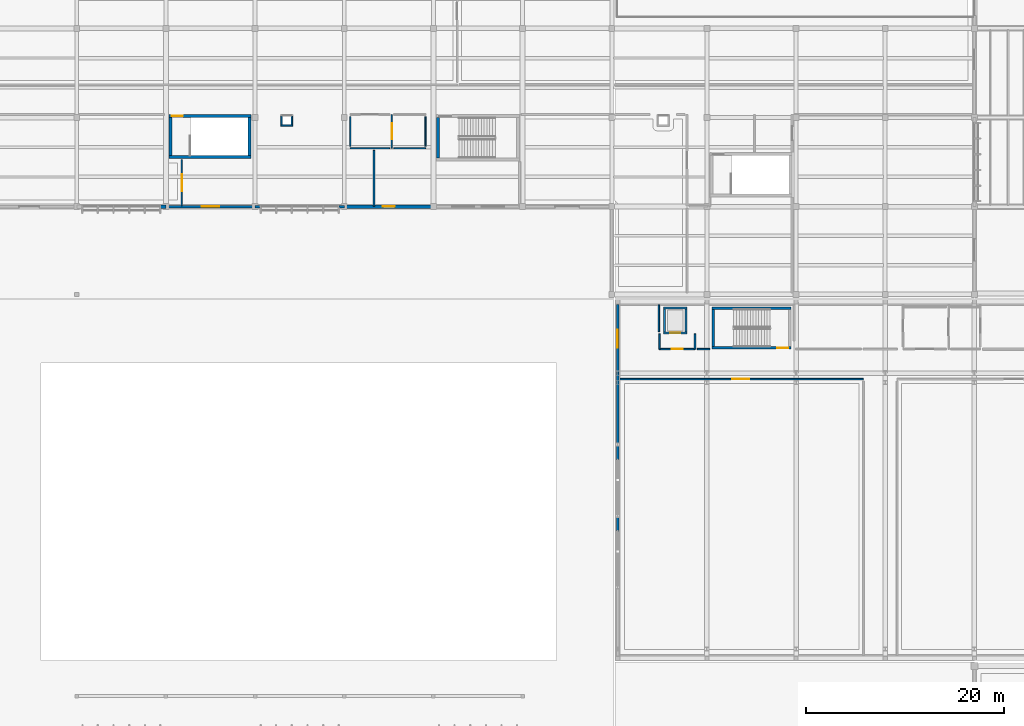
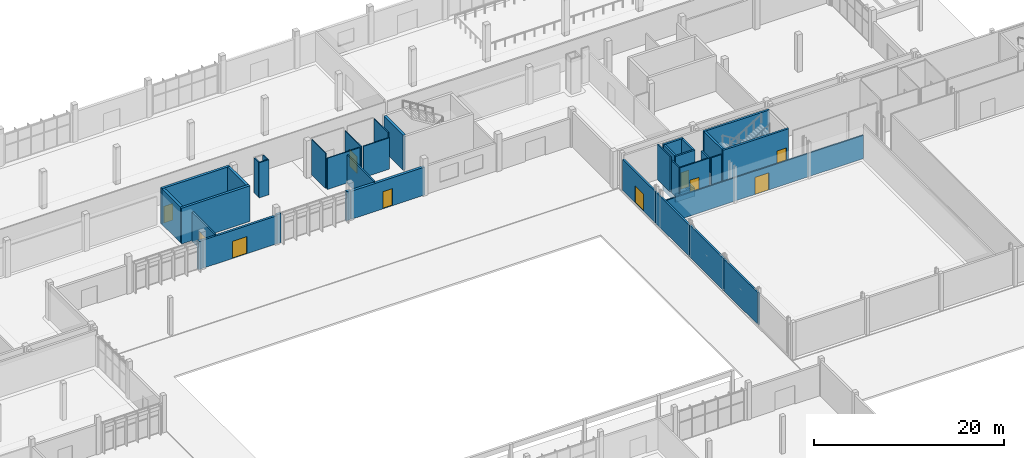
# One storey, part 123 of 151: 41 walls, 10 doors, 10 openings.
"""IFC4 building model written with IfcOpenShell, lengths in metres."""

from ifc_helpers import new_model, si_unit, direction, frame, frame_2d, origin, place, context, subcontext, project, spatial, rectangle, extrude, material, layer, layer_set, type_object, element, fill, save


model = new_model("IFC4")

# Units and contexts
model_context = context("Model", 3, precision=1e-05, world=origin(), true_north=direction((0.0, 1.0)))
body_context = subcontext(model_context, "Body", "Model", "MODEL_VIEW")
ifc_project = project(units=[si_unit("LENGTHUNIT", "METRE"), si_unit("AREAUNIT", "SQUARE_METRE"), si_unit("VOLUMEUNIT", "CUBIC_METRE"), si_unit("PLANEANGLEUNIT", "RADIAN"), si_unit("MASSUNIT", "GRAM", prefix="KILO")], contexts=[model_context])

# Site, building, storey
site_placement = place(None, origin())
site = spatial("IfcSite", under=ifc_project, at=site_placement, CompositionType="ELEMENT")
building_placement = place(site_placement, origin())
building = spatial("IfcBuilding", under=site, at=building_placement, Name="Chiffa Square Polytechnic", CompositionType="ELEMENT")
storey_placement = place(building_placement, origin())
storey = spatial("IfcBuildingStorey", under=building, at=storey_placement, Name="L00", CompositionType="ELEMENT", Elevation=0.0)

# Wall, opening, door
ifc_material_1 = material(Name="Concrete C40/50", Category="concrete")
ifc_layer_1 = layer(ifc_material_1, 0.25, Name="Concrete C40/50")
ifc_layer_set_1 = layer_set([ifc_layer_1], Name="Concrete C40/50")
wall_type_1 = type_object("IfcWallType", Name="WL-CORE-250", PredefinedType="SHEAR", material=ifc_layer_set_1)
wall_1_placement = place(storey_placement, frame((121.699951171875, 89.550048828125, 0.0), z_axis=(0.0, 0.0, 1.0), x_axis=(1.0, 0.0, 0.0)))
wall_1 = element("IfcWall", 1, at=wall_1_placement, inside=storey, type_object=wall_type_1, Name="Core or enclosure wall WC-CORE-V2A-L00-SOUTH", PredefinedType="SHEAR", context=body_context, shape_type="SweptSolid", body=[
    extrude(rectangle(XDim=8.0, YDim=0.25, at=frame_2d((4.0, 0.0))), origin(), (0.0, 0.0, 1.0), 4.52001953125),
])
opening_1_placement = place(wall_1_placement, frame((6.60009765625, 0.0, 0.0)))
opening_1 = element("IfcOpeningElement", 2, at=opening_1_placement, cuts=wall_1, Name="Opening DS-L00-017", PredefinedType="OPENING", context=body_context, shape_type="SweptSolid", body=[
    extrude(rectangle(XDim=1.10009765625, YDim=2.14990234375, at=frame_2d((0.550048828125, 1.074951171875))), frame((0.0, 0.135009765625, 0.0), z_axis=(0.0, -1.0, 0.0), x_axis=(1.0, 0.0, 0.0)), (0.0, 0.0, 1.0), 0.27001953125),
])
ifc_material_2 = material(Name="Fire-rated painted steel leaf", Category="steel")
door_type_1 = type_object("IfcDoorType", Name="DR-STAIR-1100", OperationType="NOTDEFINED", PredefinedType="DOOR", material=ifc_material_2)
door_1_placement = place(opening_1_placement, origin())
door_1 = element("IfcDoor", 3, at=door_1_placement, inside=storey, type_object=door_type_1, Name="Enclosure door DS-L00-017", OperationType="SINGLE_SWING_LEFT", OverallHeight=2.14990234375, OverallWidth=1.10009765625, PredefinedType="DOOR", context=body_context, shape_type="SweptSolid", body=[
    extrude(rectangle(XDim=1.10009765625, YDim=2.14990234375, at=frame_2d((0.550048828125, 1.074951171875))), frame((0.0, 0.02490234375, 0.0), z_axis=(0.0, -1.0, 0.0), x_axis=(1.0, 0.0, 0.0)), (0.0, 0.0, 1.0), 0.050048828125),
])
fill(opening_1, door_1)

# Walls
wall_2_placement = place(storey_placement, frame((121.699951171875, 93.554931640625, 0.0), z_axis=(0.0, 0.0, 1.0), x_axis=(1.0, 0.0, 0.0)))
element("IfcWall", 4, at=wall_2_placement, inside=storey, type_object=wall_type_1, Name="Core or enclosure wall WC-CORE-V2A-L00-NORTH", PredefinedType="SHEAR", context=body_context, shape_type="SweptSolid", body=[
    extrude(rectangle(XDim=8.0, YDim=0.25, at=frame_2d((4.0, 0.0))), origin(), (0.0, 0.0, 1.0), 4.52001953125),
])
wall_3_placement = place(storey_placement, frame((121.824951171875, 89.675048828125, 0.0), z_axis=(0.0, 0.0, 1.0), x_axis=(0.0, 1.0, 0.0)))
element("IfcWall", 5, at=wall_3_placement, inside=storey, type_object=wall_type_1, Name="Core or enclosure wall WC-CORE-V2A-L00-WEST", PredefinedType="SHEAR", context=body_context, shape_type="SweptSolid", body=[
    extrude(rectangle(XDim=3.7548828125, YDim=0.25, at=frame_2d((1.87744140625, 0.0))), origin(), (0.0, 0.0, 1.0), 4.52001953125),
])
ifc_layer_2 = layer(ifc_material_1, 0.300048828125, Name="Concrete C40/50")
ifc_layer_set_2 = layer_set([ifc_layer_2], Name="Concrete C40/50")
wall_type_2 = type_object("IfcWallType", Name="WL-CORE-300", PredefinedType="SHEAR", material=ifc_layer_set_2)
wall_4_placement = place(storey_placement, frame((94.050048828125, 108.699951171875, 0.0), z_axis=(0.0, 0.0, 1.0), x_axis=(0.0, 1.0, 0.0)))
element("IfcWall", 6, at=wall_4_placement, inside=storey, type_object=wall_type_2, Name="Core or enclosure wall WC-CORE-V5B-L00-WEST", PredefinedType="SHEAR", context=body_context, shape_type="SweptSolid", body=[
    extrude(rectangle(XDim=4.10009765625, YDim=0.300048828125, at=frame_2d((2.050048828125, 0.0))), origin(), (0.0, 0.0, 1.0), 4.52001953125),
])
wall_5_placement = place(storey_placement, frame((66.89990234375, 108.800048828125, 0.0), z_axis=(0.0, 0.0, 1.0), x_axis=(1.0, 0.0, 0.0)))
element("IfcWall", 7, at=wall_5_placement, inside=storey, type_object=wall_type_2, Name="Core or enclosure wall WC-CORE-B1W-L00-SOUTH", PredefinedType="SHEAR", context=body_context, shape_type="SweptSolid", body=[
    extrude(rectangle(XDim=8.300048828125, YDim=0.300048828125, at=frame_2d((4.14990234375, 0.0))), origin(), (0.0, 0.0, 1.0), 4.60009765625),
])

# Wall, opening, door
wall_6_placement = place(storey_placement, frame((66.89990234375, 112.949951171875, 0.0), z_axis=(0.0, 0.0, 1.0), x_axis=(1.0, 0.0, 0.0)))
wall_6 = element("IfcWall", 8, at=wall_6_placement, inside=storey, type_object=wall_type_2, Name="Core or enclosure wall WC-CORE-B1W-L00-NORTH", PredefinedType="SHEAR", context=body_context, shape_type="SweptSolid", body=[
    extrude(rectangle(XDim=8.300048828125, YDim=0.300048828125, at=frame_2d((4.14990234375, 0.0))), origin(), (0.0, 0.0, 1.0), 4.60009765625),
])
opening_2_placement = place(wall_6_placement, frame((0.300048828125, 0.0, 0.0)))
opening_2 = element("IfcOpeningElement", 9, at=opening_2_placement, cuts=wall_6, Name="Opening DS-L00-044", PredefinedType="OPENING", context=body_context, shape_type="SweptSolid", body=[
    extrude(rectangle(XDim=1.10009765625, YDim=2.14990234375, at=frame_2d((0.550048828125, 1.074951171875))), frame((0.0, 0.16015625, 0.0), z_axis=(0.0, -1.0, 0.0), x_axis=(1.0, 0.0, 0.0)), (0.0, 0.0, 1.0), 0.320068359375),
])
door_2_placement = place(opening_2_placement, origin())
door_2 = element("IfcDoor", 10, at=door_2_placement, inside=storey, type_object=door_type_1, Name="Enclosure door DS-L00-044", OperationType="SINGLE_SWING_RIGHT", OverallHeight=2.14990234375, OverallWidth=1.10009765625, PredefinedType="DOOR", context=body_context, shape_type="SweptSolid", body=[
    extrude(rectangle(XDim=1.10009765625, YDim=2.14990234375, at=frame_2d((0.550048828125, 1.074951171875))), frame((0.0, 0.02490234375, 0.0), z_axis=(0.0, -1.0, 0.0), x_axis=(1.0, 0.0, 0.0)), (0.0, 0.0, 1.0), 0.050048828125),
])
fill(opening_2, door_2)

# Walls
for number, where, z_axis, x_axis, name in (
    (11, (67.050048828125, 108.949951171875, 0.0), (0.0, 0.0, 1.0), (0.0, 1.0, 0.0), "Core or enclosure wall WC-CORE-B1W-L00-WEST"),
    (12, (75.050048828125, 108.949951171875, 0.0), (0.0, 0.0, 1.0), (0.0, 1.0, 0.0), "Core or enclosure wall WC-CORE-B1W-L00-EAST"),
):
    element("IfcWall", number, at=place(storey_placement, frame(where, z_axis=z_axis, x_axis=x_axis)), inside=storey, type_object=wall_type_2, Name=name, PredefinedType="SHEAR", context=body_context, shape_type="SweptSolid", body=[
        extrude(rectangle(XDim=3.85009765625, YDim=0.300048828125, at=frame_2d((1.925048828125, 0.0))), origin(), (0.0, 0.0, 1.0), 4.60009765625),
    ])

# Wall, opening, door
ifc_material_3 = material(Name="Precast concrete C40/50", Category="concrete")
ifc_layer_3 = layer(ifc_material_3, 0.219970703125, Name="Precast concrete C40/50")
ifc_layer_set_3 = layer_set([ifc_layer_3], Name="Precast concrete C40/50")
wall_type_3 = type_object("IfcWallType", Name="WL-EXT-PC220", PredefinedType="SOLIDWALL", material=ifc_layer_set_3)
wall_7_placement = place(storey_placement, frame((112.199951171875, 93.949951171875, 0.0), z_axis=(0.0, 0.0, 1.0), x_axis=(0.0, -1.0, 0.0)))
wall_7 = element("IfcWall", 13, at=wall_7_placement, inside=storey, type_object=wall_type_3, Name="Exterior wall WE-V2-L00-0109", PredefinedType="SOLIDWALL", context=body_context, shape_type="SweptSolid", body=[
    extrude(rectangle(XDim=6.949951171875, YDim=0.219970703125, at=frame_2d((3.47509765625, 0.0))), origin(), (0.0, 0.0, 1.0), 4.0048828125),
])
opening_3_placement = place(wall_7_placement, frame((2.574951171875, 0.0, 0.0)))
opening_3 = element("IfcOpeningElement", 14, at=opening_3_placement, cuts=wall_7, Name="Opening DE-L00-018", PredefinedType="OPENING", context=body_context, shape_type="SweptSolid", body=[
    extrude(rectangle(XDim=1.800048828125, YDim=2.199951171875, at=frame_2d((0.89990234375, 1.10009765625))), frame((0.0, 0.1201171875, 0.0), z_axis=(0.0, -1.0, 0.0), x_axis=(1.0, 0.0, 0.0)), (0.0, 0.0, 1.0), 0.239990234375),
])
ifc_material_4 = material(Name="Painted galvanized steel", Category="steel")
door_type_2 = type_object("IfcDoorType", Name="DR-EXIT-DBL-1800", OperationType="DOUBLE_DOOR_SINGLE_SWING", PredefinedType="DOOR", material=ifc_material_4)
door_3_placement = place(opening_3_placement, frame((1.800048828125, 0.0, 0.0), z_axis=(0.0, 0.0, 1.0), x_axis=(-1.0, 0.0, 0.0)))
door_3 = element("IfcDoor", 15, at=door_3_placement, inside=storey, type_object=door_type_2, Name="Exterior door DE-L00-018", OperationType="DOUBLE_DOOR_SINGLE_SWING", OverallHeight=2.199951171875, OverallWidth=1.800048828125, PredefinedType="DOOR", context=body_context, shape_type="SweptSolid", body=[
    extrude(rectangle(XDim=1.800048828125, YDim=2.199951171875, at=frame_2d((0.89990234375, 1.10009765625))), frame((0.0, 0.02490234375, 0.0), z_axis=(0.0, -1.0, 0.0), x_axis=(1.0, 0.0, 0.0)), (0.0, 0.0, 1.0), 0.050048828125),
])
fill(opening_3, door_3)

# Walls
wall_8_placement = place(storey_placement, frame((112.199951171875, 87.0, 0.0), z_axis=(0.0, 0.0, 1.0), x_axis=(0.0, -1.0, 0.0)))
element("IfcWall", 16, at=wall_8_placement, inside=storey, type_object=wall_type_3, Name="Exterior wall WE-V2-L00-0110", PredefinedType="SOLIDWALL", context=body_context, shape_type="SweptSolid", body=[
    extrude(rectangle(XDim=7.199951171875, YDim=0.219970703125, at=frame_2d((3.60009765625, 0.0))), origin(), (0.0, 0.0, 1.0), 4.0048828125),
])
wall_9_placement = place(storey_placement, frame((112.199951171875, 79.800048828125, 0.0), z_axis=(0.0, 0.0, 1.0), x_axis=(0.0, -1.0, 0.0)))
element("IfcWall", 17, at=wall_9_placement, inside=storey, type_object=wall_type_3, Name="Exterior wall WE-V2-L00-0111", PredefinedType="SOLIDWALL", context=body_context, shape_type="SweptSolid", body=[
    extrude(rectangle(XDim=7.199951171875, YDim=0.219970703125, at=frame_2d((3.60009765625, 0.0))), origin(), (0.0, 0.0, 1.0), 4.114990234375),
])
wall_10_placement = place(storey_placement, frame((112.199951171875, 72.60009765625, 0.0), z_axis=(0.0, 0.0, 1.0), x_axis=(0.0, -1.0, 0.0)))
element("IfcWall", 18, at=wall_10_placement, inside=storey, type_object=wall_type_3, Name="Exterior wall WE-V2-L00-0112", PredefinedType="SOLIDWALL", context=body_context, shape_type="SweptSolid", body=[
    extrude(rectangle(XDim=7.2001953125, YDim=0.219970703125, at=frame_2d((3.60009765625, 0.0))), origin(), (0.0, 0.0, 1.0), 4.114990234375),
])

# Wall, opening, door
ifc_layer_4 = layer(ifc_material_3, 0.260009765625, Name="Precast concrete C40/50")
ifc_layer_set_4 = layer_set([ifc_layer_4], Name="Precast concrete C40/50")
wall_type_4 = type_object("IfcWallType", Name="WL-EXT-PC260", PredefinedType="SOLIDWALL", material=ifc_layer_set_4)
wall_11_placement = place(storey_placement, frame((66.60009765625, 103.800048828125, 0.0), z_axis=(0.0, 0.0, 1.0), x_axis=(1.0, 0.0, 0.0)))
wall_11 = element("IfcWall", 19, at=wall_11_placement, inside=storey, type_object=wall_type_4, Name="Exterior wall WE-V5-L00-0225", PredefinedType="SOLIDWALL", context=body_context, shape_type="SweptSolid", body=[
    extrude(rectangle(XDim=9.0, YDim=0.260009765625, at=frame_2d((4.5, 0.0))), origin(), (0.0, 0.0, 1.0), 3.60498046875),
])
opening_4_placement = place(wall_11_placement, frame((3.60009765625, 0.0, 0.0)))
opening_4 = element("IfcOpeningElement", 20, at=opening_4_placement, cuts=wall_11, Name="Opening DE-L00-043", PredefinedType="OPENING", context=body_context, shape_type="SweptSolid", body=[
    extrude(rectangle(XDim=1.800048828125, YDim=2.199951171875, at=frame_2d((0.89990234375, 1.10009765625))), frame((0.0, 0.14013671875, 0.0), z_axis=(0.0, -1.0, 0.0), x_axis=(1.0, 0.0, 0.0)), (0.0, 0.0, 1.0), 0.280029296875),
])
door_4_placement = place(opening_4_placement, frame((1.800048828125, 0.0, 0.0), z_axis=(0.0, 0.0, 1.0), x_axis=(-1.0, 0.0, 0.0)))
door_4 = element("IfcDoor", 21, at=door_4_placement, inside=storey, type_object=door_type_2, Name="Exterior door DE-L00-043", OperationType="DOUBLE_DOOR_SINGLE_SWING", OverallHeight=2.199951171875, OverallWidth=1.800048828125, PredefinedType="DOOR", context=body_context, shape_type="SweptSolid", body=[
    extrude(rectangle(XDim=1.800048828125, YDim=2.199951171875, at=frame_2d((0.89990234375, 1.10009765625))), frame((0.0, 0.02490234375, 0.0), z_axis=(0.0, -1.0, 0.0), x_axis=(1.0, 0.0, 0.0)), (0.0, 0.0, 1.0), 0.050048828125),
])
fill(opening_4, door_4)

# Walls
ifc_layer_5 = layer(ifc_material_3, 0.280029296875, Name="Precast concrete C40/50")
ifc_layer_set_5 = layer_set([ifc_layer_5], Name="Precast concrete C40/50")
wall_type_5 = type_object("IfcWallType", Name="WL-EXT-PC280", PredefinedType="SOLIDWALL", material=ifc_layer_set_5)
wall_12_placement = place(storey_placement, frame((75.60009765625, 103.800048828125, 0.0), z_axis=(0.0, 0.0, 1.0), x_axis=(1.0, 0.0, 0.0)))
element("IfcWall", 22, at=wall_12_placement, inside=storey, type_object=wall_type_5, Name="Facade column pier V5-L00-0226L", PredefinedType="SOLIDWALL", context=body_context, shape_type="SweptSolid", body=[
    extrude(rectangle(XDim=0.539794921875, YDim=0.280029296875, at=frame_2d((0.27001953125, 0.0))), origin(), (0.0, 0.0, 1.0), 3.7548828125),
])
wall_13_placement = place(storey_placement, frame((84.06005859375, 103.800048828125, 0.0), z_axis=(0.0, 0.0, 1.0), x_axis=(1.0, 0.0, 0.0)))
element("IfcWall", 23, at=wall_13_placement, inside=storey, type_object=wall_type_5, Name="Facade column pier V5-L00-0226R", PredefinedType="SOLIDWALL", context=body_context, shape_type="SweptSolid", body=[
    extrude(rectangle(XDim=0.5400390625, YDim=0.280029296875, at=frame_2d((0.27001953125, 0.0))), origin(), (0.0, 0.0, 1.0), 3.7548828125),
])
ifc_layer_6 = layer(ifc_material_3, 0.320068359375, Name="Precast concrete C40/50")
ifc_layer_set_6 = layer_set([ifc_layer_6], Name="Precast concrete C40/50")
wall_type_6 = type_object("IfcWallType", Name="WL-EXT-PC320", PredefinedType="SOLIDWALL", material=ifc_layer_set_6)
wall_14_placement = place(storey_placement, frame((66.06005859375, 103.800048828125, 0.0), z_axis=(0.0, 0.0, 1.0), x_axis=(1.0, 0.0, 0.0)))
element("IfcWall", 24, at=wall_14_placement, inside=storey, type_object=wall_type_6, Name="Facade column pier V5-L00-0224R", PredefinedType="SOLIDWALL", context=body_context, shape_type="SweptSolid", body=[
    extrude(rectangle(XDim=0.5400390625, YDim=0.320068359375, at=frame_2d((0.27001953125, 0.0))), origin(), (0.0, 0.0, 1.0), 3.60498046875),
])

# Wall, opening, door
wall_15_placement = place(storey_placement, frame((84.60009765625, 103.800048828125, 0.0), z_axis=(0.0, 0.0, 1.0), x_axis=(1.0, 0.0, 0.0)))
wall_15 = element("IfcWall", 25, at=wall_15_placement, inside=storey, type_object=wall_type_6, Name="Exterior wall WE-V5-L00-0227", PredefinedType="SOLIDWALL", context=body_context, shape_type="SweptSolid", body=[
    extrude(rectangle(XDim=9.0, YDim=0.320068359375, at=frame_2d((4.5, 0.0))), origin(), (0.0, 0.0, 1.0), 3.60498046875),
])
opening_5_placement = place(wall_15_placement, frame((3.89990234375, 0.0, 0.0)))
opening_5 = element("IfcOpeningElement", 26, at=opening_5_placement, cuts=wall_15, Name="Opening DE-L00-044", PredefinedType="OPENING", context=body_context, shape_type="SweptSolid", body=[
    extrude(rectangle(XDim=1.199951171875, YDim=2.199951171875, at=frame_2d((0.60009765625, 1.10009765625))), frame((0.0, 0.169921875, 0.0), z_axis=(0.0, -1.0, 0.0), x_axis=(1.0, 0.0, 0.0)), (0.0, 0.0, 1.0), 0.340087890625),
])
door_type_3 = type_object("IfcDoorType", Name="DR-EXT-SVC-1200", OperationType="NOTDEFINED", PredefinedType="DOOR", material=ifc_material_4)
door_5_placement = place(opening_5_placement, origin())
door_5 = element("IfcDoor", 27, at=door_5_placement, inside=storey, type_object=door_type_3, Name="Exterior door DE-L00-044", OperationType="SINGLE_SWING_LEFT", OverallHeight=2.199951171875, OverallWidth=1.199951171875, PredefinedType="DOOR", context=body_context, shape_type="SweptSolid", body=[
    extrude(rectangle(XDim=1.199951171875, YDim=2.199951171875, at=frame_2d((0.60009765625, 1.10009765625))), frame((0.0, 0.02490234375, 0.0), z_axis=(0.0, -1.0, 0.0), x_axis=(1.0, 0.0, 0.0)), (0.0, 0.0, 1.0), 0.050048828125),
])
fill(opening_5, door_5)

# Walls
ifc_material_5 = material(Name="Gypsum board on acoustic steel stud", Category="steel")
ifc_layer_7 = layer(ifc_material_5, 0.159912109375, Name="Gypsum board on acoustic steel stud")
ifc_layer_set_7 = layer_set([ifc_layer_7], Name="Gypsum board on acoustic steel stud")
wall_type_7 = type_object("IfcWallType", Name="WL-PART-EI60-160", PredefinedType="PARTITIONING", material=ifc_layer_set_7)
wall_16_placement = place(storey_placement, frame((78.199951171875, 111.97998046875, 0.0), z_axis=(0.0, 0.0, 1.0), x_axis=(1.0, 0.0, 0.0)))
element("IfcWall", 28, at=wall_16_placement, inside=storey, type_object=wall_type_7, Name="Core or enclosure wall WP-RSR-V5-M-L00-SOUTH", PredefinedType="PARTITIONING", context=body_context, shape_type="SweptSolid", body=[
    extrude(rectangle(XDim=1.199951171875, YDim=0.159912109375, at=frame_2d((0.60009765625, 0.0))), origin(), (0.0, 0.0, 1.0), 4.52001953125),
])
for number, where, z_axis, x_axis, name in (
    (29, (78.280029296875, 112.06005859375, 0.0), (0.0, 0.0, 1.0), (0.0, 1.0, 0.0), "Core or enclosure wall WP-RSR-V5-M-L00-WEST"),
    (30, (79.320068359375, 112.06005859375, 0.0), (0.0, 0.0, 1.0), (0.0, 1.0, 0.0), "Core or enclosure wall WP-RSR-V5-M-L00-EAST"),
):
    element("IfcWall", number, at=place(storey_placement, frame(where, z_axis=z_axis, x_axis=x_axis)), inside=storey, type_object=wall_type_7, Name=name, PredefinedType="PARTITIONING", context=body_context, shape_type="SweptSolid", body=[
        extrude(rectangle(XDim=0.8798828125, YDim=0.159912109375, at=frame_2d((0.43994140625, 0.0))), origin(), (0.0, 0.0, 1.0), 4.52001953125),
    ])

# Wall, opening, door
wall_17_placement = place(storey_placement, frame((116.39990234375, 89.425048828125, 0.0), z_axis=(0.0, 0.0, 1.0), x_axis=(1.0, 0.0, 0.0)))
wall_17 = element("IfcWall", 31, at=wall_17_placement, inside=storey, type_object=wall_type_7, Name="Lift lobby rated enclosure WP-LOB-LP-V2-L00-SOUTH", PredefinedType="PARTITIONING", context=body_context, shape_type="SweptSolid", body=[
    extrude(rectangle(XDim=3.60009765625, YDim=0.159912109375, at=frame_2d((1.800048828125, 0.0))), origin(), (0.0, 0.0, 1.0), 4.175048828125),
])
opening_6_placement = place(wall_17_placement, frame((1.25, 0.0, 0.0)))
opening_6 = element("IfcOpeningElement", 32, at=opening_6_placement, cuts=wall_17, Name="Opening DI-L00-025", PredefinedType="OPENING", context=body_context, shape_type="SweptSolid", body=[
    extrude(rectangle(XDim=1.10009765625, YDim=2.14990234375, at=frame_2d((0.550048828125, 1.074951171875))), frame((0.0, 0.08984375, 0.0), z_axis=(0.0, -1.0, 0.0), x_axis=(1.0, 0.0, 0.0)), (0.0, 0.0, 1.0), 0.179931640625),
])
ifc_material_6 = material(Name="Solid core ash veneer door")
door_type_4 = type_object("IfcDoorType", Name="DR-INT-1100", OperationType="NOTDEFINED", PredefinedType="DOOR", material=ifc_material_6)
door_6_placement = place(opening_6_placement, origin())
door_6 = element("IfcDoor", 33, at=door_6_placement, inside=storey, type_object=door_type_4, Name="Lift lobby fire door DI-L00-025", OperationType="SINGLE_SWING_RIGHT", OverallHeight=2.14990234375, OverallWidth=1.10009765625, PredefinedType="DOOR", context=body_context, shape_type="SweptSolid", body=[
    extrude(rectangle(XDim=1.10009765625, YDim=2.14990234375, at=frame_2d((0.550048828125, 1.074951171875))), frame((0.0, 0.02490234375, 0.0), z_axis=(0.0, -1.0, 0.0), x_axis=(1.0, 0.0, 0.0)), (0.0, 0.0, 1.0), 0.050048828125),
])
fill(opening_6, door_6)

# Walls
for number, where, z_axis, x_axis, name in (
    (34, (116.39990234375, 89.425048828125, 0.0), (0.0, 0.0, 1.0), (0.0, 1.0, 0.0), "Lift lobby rated enclosure WP-LOB-LP-V2-L00-WEST"),
    (35, (120.0, 89.425048828125, 0.0), (0.0, 0.0, 1.0), (0.0, 1.0, 0.0), "Lift lobby rated enclosure WP-LOB-LP-V2-L00-EAST"),
):
    element("IfcWall", number, at=place(storey_placement, frame(where, z_axis=z_axis, x_axis=x_axis)), inside=storey, type_object=wall_type_7, Name=name, PredefinedType="PARTITIONING", context=body_context, shape_type="SweptSolid", body=[
        extrude(rectangle(XDim=1.52490234375, YDim=0.159912109375, at=frame_2d((0.762451171875, 0.0))), origin(), (0.0, 0.0, 1.0), 4.175048828125),
    ])

# Wall, opening, door
wall_18_placement = place(storey_placement, frame((112.2548828125, 86.39990234375, 0.0), z_axis=(0.0, 0.0, 1.0), x_axis=(1.0, 0.0, 0.0)))
wall_18 = element("IfcWall", 36, at=wall_18_placement, inside=storey, type_object=wall_type_7, Name="Interior partition WP-V2-L00-0159", PredefinedType="PARTITIONING", context=body_context, shape_type="SweptSolid", body=[
    extrude(rectangle(XDim=24.7451171875, YDim=0.159912109375, at=frame_2d((12.37255859375, 0.0))), origin(), (0.0, 0.0, 1.0), 3.0048828125),
])
opening_7_placement = place(wall_18_placement, frame((11.52294921875, 0.0, 0.0)))
opening_7 = element("IfcOpeningElement", 37, at=opening_7_placement, cuts=wall_18, Name="Opening DI-L00-097", PredefinedType="OPENING", context=body_context, shape_type="SweptSolid", body=[
    extrude(rectangle(XDim=1.699951171875, YDim=2.199951171875, at=frame_2d((0.85009765625, 1.10009765625))), frame((0.0, 0.08984375, 0.0), z_axis=(0.0, -1.0, 0.0), x_axis=(1.0, 0.0, 0.0)), (0.0, 0.0, 1.0), 0.179931640625),
])
ifc_material_7 = material(Name="Steel-faced workshop double door", Category="steel")
door_type_5 = type_object("IfcDoorType", Name="DR-WKS-DBL-1700", OperationType="DOUBLE_DOOR_SINGLE_SWING", PredefinedType="DOOR", material=ifc_material_7)
door_7_placement = place(opening_7_placement, origin())
door_7 = element("IfcDoor", 38, at=door_7_placement, inside=storey, type_object=door_type_5, Name="Interior room door DI-L00-097", OperationType="DOUBLE_DOOR_SINGLE_SWING", OverallHeight=2.199951171875, OverallWidth=1.699951171875, PredefinedType="DOOR", context=body_context, shape_type="SweptSolid", body=[
    extrude(rectangle(XDim=1.699951171875, YDim=2.199951171875, at=frame_2d((0.85009765625, 1.10009765625))), frame((0.0, 0.02490234375, 0.0), z_axis=(0.0, -1.0, 0.0), x_axis=(1.0, 0.0, 0.0)), (0.0, 0.0, 1.0), 0.050048828125),
])
fill(opening_7, door_7)

# Walls
wall_19_placement = place(storey_placement, frame((116.35009765625, 91.18505859375, 0.0), z_axis=(0.0, 0.0, 1.0), x_axis=(0.0, 1.0, 0.0)))
element("IfcWall", 39, at=wall_19_placement, inside=storey, type_object=wall_type_7, Name="Interior partition WP-V2-L00-0206", PredefinedType="PARTITIONING", context=body_context, shape_type="SweptSolid", body=[
    extrude(rectangle(XDim=2.7099609375, YDim=0.159912109375, at=frame_2d((1.35498046875, 0.0))), origin(), (0.0, 0.0, 1.0), 4.52001953125),
])
wall_20_placement = place(storey_placement, frame((120.239990234375, 89.425048828125, 0.0), z_axis=(0.0, 0.0, 1.0), x_axis=(1.0, 0.0, 0.0)))
element("IfcWall", 40, at=wall_20_placement, inside=storey, type_object=wall_type_7, Name="Interior partition WP-V2-L00-0207", PredefinedType="PARTITIONING", context=body_context, shape_type="SweptSolid", body=[
    extrude(rectangle(XDim=1.255126953125, YDim=0.159912109375, at=frame_2d((0.62744140625, 0.0))), origin(), (0.0, 0.0, 1.0), 4.114990234375),
])
wall_21_placement = place(storey_placement, frame((87.60009765625, 103.85498046875, 0.0), z_axis=(0.0, 0.0, 1.0), x_axis=(0.0, 1.0, 0.0)))
element("IfcWall", 41, at=wall_21_placement, inside=storey, type_object=wall_type_7, Name="Interior partition WP-V5-L00-0217", PredefinedType="PARTITIONING", context=body_context, shape_type="SweptSolid", body=[
    extrude(rectangle(XDim=5.625, YDim=0.159912109375, at=frame_2d((2.8125, 0.0))), origin(), (0.0, 0.0, 1.0), 3.7548828125),
])

# Wall, opening, door
ifc_material_8 = material(Name="Gypsum board on twin steel stud", Category="steel")
ifc_layer_8 = layer(ifc_material_8, 0.18505859375, Name="Gypsum board on twin steel stud")
ifc_layer_set_8 = layer_set([ifc_layer_8], Name="Gypsum board on twin steel stud")
wall_type_8 = type_object("IfcWallType", Name="WL-PART-EI90-185", PredefinedType="PARTITIONING", material=ifc_layer_set_8)
wall_22_placement = place(storey_placement, frame((68.199951171875, 103.85498046875, 0.0), z_axis=(0.0, 0.0, 1.0), x_axis=(0.0, 1.0, 0.0)))
wall_22 = element("IfcWall", 42, at=wall_22_placement, inside=storey, type_object=wall_type_8, Name="Interior partition WP-V5-L00-0172", PredefinedType="PARTITIONING", context=body_context, shape_type="SweptSolid", body=[
    extrude(rectangle(XDim=4.705078125, YDim=0.18505859375, at=frame_2d((2.3525390625, 0.0))), origin(), (0.0, 0.0, 1.0), 3.7548828125),
])
opening_8_placement = place(wall_22_placement, frame((1.501953125, 0.0, 0.0)))
opening_8 = element("IfcOpeningElement", 43, at=opening_8_placement, cuts=wall_22, Name="Opening DI-L00-102", PredefinedType="OPENING", context=body_context, shape_type="SweptSolid", body=[
    extrude(rectangle(XDim=1.699951171875, YDim=2.199951171875, at=frame_2d((0.85009765625, 1.10009765625))), frame((0.0, 0.1025390625, 0.0), z_axis=(0.0, -1.0, 0.0), x_axis=(1.0, 0.0, 0.0)), (0.0, 0.0, 1.0), 0.205078125),
])
door_8_placement = place(opening_8_placement, origin())
door_8 = element("IfcDoor", 44, at=door_8_placement, inside=storey, type_object=door_type_5, Name="Interior room door DI-L00-102", OperationType="DOUBLE_DOOR_SINGLE_SWING", OverallHeight=2.199951171875, OverallWidth=1.699951171875, PredefinedType="DOOR", context=body_context, shape_type="SweptSolid", body=[
    extrude(rectangle(XDim=1.699951171875, YDim=2.199951171875, at=frame_2d((0.85009765625, 1.10009765625))), frame((0.0, 0.02490234375, 0.0), z_axis=(0.0, -1.0, 0.0), x_axis=(1.0, 0.0, 0.0)), (0.0, 0.0, 1.0), 0.050048828125),
])
fill(opening_8, door_8)

ifc_material_9 = material(Name="Moisture-resistant board partition")
ifc_layer_9 = layer(ifc_material_9, 0.1201171875, Name="Moisture-resistant board partition")
ifc_layer_set_9 = layer_set([ifc_layer_9], Name="Moisture-resistant board partition")
wall_type_9 = type_object("IfcWallType", Name="WL-PART-WC-120", PredefinedType="PARTITIONING", material=ifc_layer_set_9)
wall_23_placement = place(storey_placement, frame((89.39990234375, 109.699951171875, 0.0), z_axis=(0.0, 0.0, 1.0), x_axis=(0.0, 1.0, 0.0)))
wall_23 = element("IfcWall", 45, at=wall_23_placement, inside=storey, type_object=wall_type_9, Name="Interior partition WP-V5-L00-0070", PredefinedType="PARTITIONING", context=body_context, shape_type="SweptSolid", body=[
    extrude(rectangle(XDim=3.400146484375, YDim=0.1201171875, at=frame_2d((1.7001953125, 0.0))), origin(), (0.0, 0.0, 1.0), 4.02490234375),
])
opening_9_placement = place(wall_23_placement, frame((0.89990234375, 0.0, 0.0)))
opening_9 = element("IfcOpeningElement", 46, at=opening_9_placement, cuts=wall_23, Name="Opening DI-L00-065", PredefinedType="OPENING", context=body_context, shape_type="SweptSolid", body=[
    extrude(rectangle(XDim=1.60009765625, YDim=2.199951171875, at=frame_2d((0.800048828125, 1.10009765625))), frame((0.0, 0.070068359375, 0.0), z_axis=(0.0, -1.0, 0.0), x_axis=(1.0, 0.0, 0.0)), (0.0, 0.0, 1.0), 0.14013671875),
])
ifc_material_10 = material(Name="Vision-panel timber laboratory door", Category="wood")
door_type_6 = type_object("IfcDoorType", Name="DR-LAB-DBL-1600", OperationType="DOUBLE_DOOR_SINGLE_SWING", PredefinedType="DOOR", material=ifc_material_10)
door_9_placement = place(opening_9_placement, origin())
door_9 = element("IfcDoor", 47, at=door_9_placement, inside=storey, type_object=door_type_6, Name="Interior room door DI-L00-065", OperationType="DOUBLE_DOOR_SINGLE_SWING", OverallHeight=2.199951171875, OverallWidth=1.60009765625, PredefinedType="DOOR", context=body_context, shape_type="SweptSolid", body=[
    extrude(rectangle(XDim=1.60009765625, YDim=2.199951171875, at=frame_2d((0.800048828125, 1.10009765625))), frame((0.0, 0.02490234375, 0.0), z_axis=(0.0, -1.0, 0.0), x_axis=(1.0, 0.0, 0.0)), (0.0, 0.0, 1.0), 0.050048828125),
])
fill(opening_9, door_9)

# Walls
wall_24_placement = place(storey_placement, frame((89.6201171875, 109.699951171875, 0.0), z_axis=(0.0, 0.0, 1.0), x_axis=(1.0, 0.0, 0.0)))
element("IfcWall", 48, at=wall_24_placement, inside=storey, type_object=wall_type_9, Name="Interior partition WP-V5-L00-0071", PredefinedType="PARTITIONING", context=body_context, shape_type="SweptSolid", body=[
    extrude(rectangle(XDim=3.179931640625, YDim=0.1201171875, at=frame_2d((1.58984375, 0.0))), origin(), (0.0, 0.0, 1.0), 4.02490234375),
])
wall_25_placement = place(storey_placement, frame((92.800048828125, 109.919921875, 0.0), z_axis=(0.0, 0.0, 1.0), x_axis=(0.0, 1.0, 0.0)))
element("IfcWall", 49, at=wall_25_placement, inside=storey, type_object=wall_type_9, Name="Interior partition WP-V5-L00-0073", PredefinedType="PARTITIONING", context=body_context, shape_type="SweptSolid", body=[
    extrude(rectangle(XDim=2.9599609375, YDim=0.1201171875, at=frame_2d((1.47998046875, 0.0))), origin(), (0.0, 0.0, 1.0), 4.52001953125),
])
wall_26_placement = place(storey_placement, frame((85.199951171875, 109.699951171875, 0.0), z_axis=(0.0, 0.0, 1.0), x_axis=(1.0, 0.0, 0.0)))
element("IfcWall", 50, at=wall_26_placement, inside=storey, type_object=wall_type_9, Name="Interior partition WP-V5-L00-0089", PredefinedType="PARTITIONING", context=body_context, shape_type="SweptSolid", body=[
    extrude(rectangle(XDim=3.97998046875, YDim=0.1201171875, at=frame_2d((1.989990234375, 0.0))), origin(), (0.0, 0.0, 1.0), 4.02490234375),
])
wall_27_placement = place(storey_placement, frame((85.199951171875, 109.919921875, 0.0), z_axis=(0.0, 0.0, 1.0), x_axis=(0.0, 1.0, 0.0)))
element("IfcWall", 51, at=wall_27_placement, inside=storey, type_object=wall_type_9, Name="Interior partition WP-V5-L00-0090", PredefinedType="PARTITIONING", context=body_context, shape_type="SweptSolid", body=[
    extrude(rectangle(XDim=2.9599609375, YDim=0.1201171875, at=frame_2d((1.47998046875, 0.0))), origin(), (0.0, 0.0, 1.0), 4.52001953125),
])
ifc_material_11 = material(Name="Concrete C35/45", Category="concrete")
ifc_layer_10 = layer(ifc_material_11, 0.219970703125, Name="Concrete C35/45")
ifc_layer_set_10 = layer_set([ifc_layer_10], Name="Concrete C35/45")
wall_type_10 = type_object("IfcWallType", Name="WL-SHAFT-220", PredefinedType="SHEAR", material=ifc_layer_set_10)
for number, where, z_axis, x_axis, name in (
    (52, (116.800048828125, 91.06005859375, -1.39990234375), (0.0, 0.0, 1.0), (1.0, 0.0, 0.0), "Core or enclosure wall WS-PIT-LP-V2-L00-SOUTH"),
    (53, (116.800048828125, 93.570068359375, -1.39990234375), (0.0, 0.0, 1.0), (1.0, 0.0, 0.0), "Core or enclosure wall WS-PIT-LP-V2-L00-NORTH"),
):
    element("IfcWall", number, at=place(storey_placement, frame(where, z_axis=z_axis, x_axis=x_axis)), inside=storey, type_object=wall_type_10, Name=name, PredefinedType="SHEAR", context=body_context, shape_type="SweptSolid", body=[
        extrude(rectangle(XDim=2.39990234375, YDim=0.219970703125, at=frame_2d((1.199951171875, 0.0))), origin(), (0.0, 0.0, 1.0), 1.0498046875),
    ])
for number, where, z_axis, x_axis, name in (
    (54, (116.909912109375, 91.169921875, -1.39990234375), (0.0, 0.0, 1.0), (0.0, 1.0, 0.0), "Core or enclosure wall WS-PIT-LP-V2-L00-WEST"),
    (55, (119.090087890625, 91.169921875, -1.39990234375), (0.0, 0.0, 1.0), (0.0, 1.0, 0.0), "Core or enclosure wall WS-PIT-LP-V2-L00-EAST"),
):
    element("IfcWall", number, at=place(storey_placement, frame(where, z_axis=z_axis, x_axis=x_axis)), inside=storey, type_object=wall_type_10, Name=name, PredefinedType="SHEAR", context=body_context, shape_type="SweptSolid", body=[
        extrude(rectangle(XDim=2.2900390625, YDim=0.219970703125, at=frame_2d((1.14501953125, 0.0))), origin(), (0.0, 0.0, 1.0), 1.0498046875),
    ])

# Wall, opening, door
wall_28_placement = place(storey_placement, frame((116.800048828125, 91.06005859375, 0.0), z_axis=(0.0, 0.0, 1.0), x_axis=(1.0, 0.0, 0.0)))
wall_28 = element("IfcWall", 56, at=wall_28_placement, inside=storey, type_object=wall_type_10, Name="Core or enclosure wall WS-LP-V2-L00-SOUTH", PredefinedType="SHEAR", context=body_context, shape_type="SweptSolid", body=[
    extrude(rectangle(XDim=2.39990234375, YDim=0.219970703125, at=frame_2d((1.199951171875, 0.0))), origin(), (0.0, 0.0, 1.0), 4.52001953125),
])
opening_10_placement = place(wall_28_placement, frame((0.699951171875, 0.0, 0.0)))
opening_10 = element("IfcOpeningElement", 57, at=opening_10_placement, cuts=wall_28, Name="Opening LD-LP-V2-L00", PredefinedType="OPENING", context=body_context, shape_type="SweptSolid", body=[
    extrude(rectangle(XDim=1.0, YDim=2.14990234375, at=frame_2d((0.5, 1.074951171875))), frame((0.0, 0.1201171875, 0.0), z_axis=(0.0, -1.0, 0.0), x_axis=(1.0, 0.0, 0.0)), (0.0, 0.0, 1.0), 0.239990234375),
])
ifc_material_12 = material(Name="Brushed stainless steel sliding landing door", Category="steel")
door_type_7 = type_object("IfcDoorType", Name="DR-LIFT-1000", OperationType="SLIDING_TO_RIGHT", PredefinedType="DOOR", material=ifc_material_12)
door_10_placement = place(opening_10_placement, origin())
door_10 = element("IfcDoor", 58, at=door_10_placement, inside=storey, type_object=door_type_7, Name="Enclosure door LD-LP-V2-L00", OperationType="SLIDING_TO_RIGHT", OverallHeight=2.14990234375, OverallWidth=1.0, PredefinedType="DOOR", context=body_context, shape_type="SweptSolid", body=[
    extrude(rectangle(XDim=1.0, YDim=2.14990234375, at=frame_2d((0.5, 1.074951171875))), frame((0.0, 0.02490234375, 0.0), z_axis=(0.0, -1.0, 0.0), x_axis=(1.0, 0.0, 0.0)), (0.0, 0.0, 1.0), 0.050048828125),
])
fill(opening_10, door_10)

# Walls
wall_29_placement = place(storey_placement, frame((116.800048828125, 93.570068359375, 0.0), z_axis=(0.0, 0.0, 1.0), x_axis=(1.0, 0.0, 0.0)))
element("IfcWall", 59, at=wall_29_placement, inside=storey, type_object=wall_type_10, Name="Core or enclosure wall WS-LP-V2-L00-NORTH", PredefinedType="SHEAR", context=body_context, shape_type="SweptSolid", body=[
    extrude(rectangle(XDim=2.39990234375, YDim=0.219970703125, at=frame_2d((1.199951171875, 0.0))), origin(), (0.0, 0.0, 1.0), 4.52001953125),
])
for number, where, z_axis, x_axis, name in (
    (60, (116.909912109375, 91.169921875, 0.0), (0.0, 0.0, 1.0), (0.0, 1.0, 0.0), "Core or enclosure wall WS-LP-V2-L00-WEST"),
    (61, (119.090087890625, 91.169921875, 0.0), (0.0, 0.0, 1.0), (0.0, 1.0, 0.0), "Core or enclosure wall WS-LP-V2-L00-EAST"),
):
    element("IfcWall", number, at=place(storey_placement, frame(where, z_axis=z_axis, x_axis=x_axis)), inside=storey, type_object=wall_type_10, Name=name, PredefinedType="SHEAR", context=body_context, shape_type="SweptSolid", body=[
        extrude(rectangle(XDim=2.2900390625, YDim=0.219970703125, at=frame_2d((1.14501953125, 0.0))), origin(), (0.0, 0.0, 1.0), 4.52001953125),
    ])

save(model, "model.ifc")
